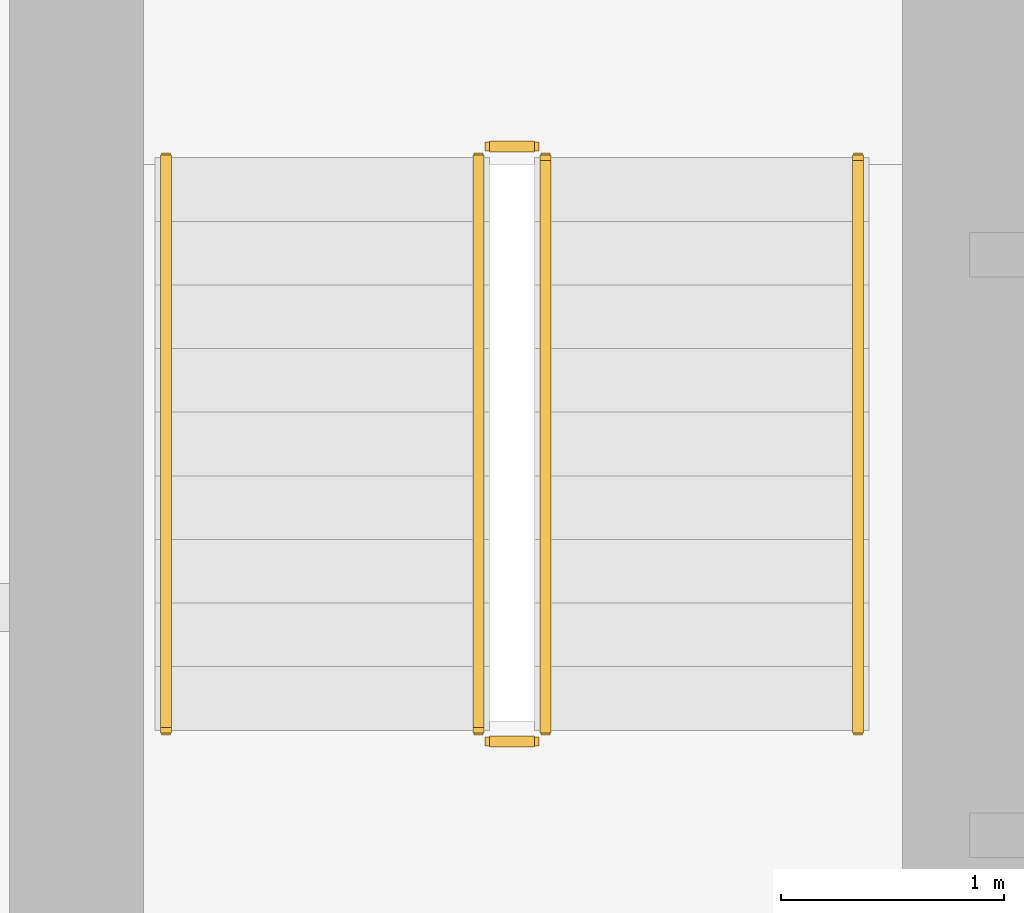
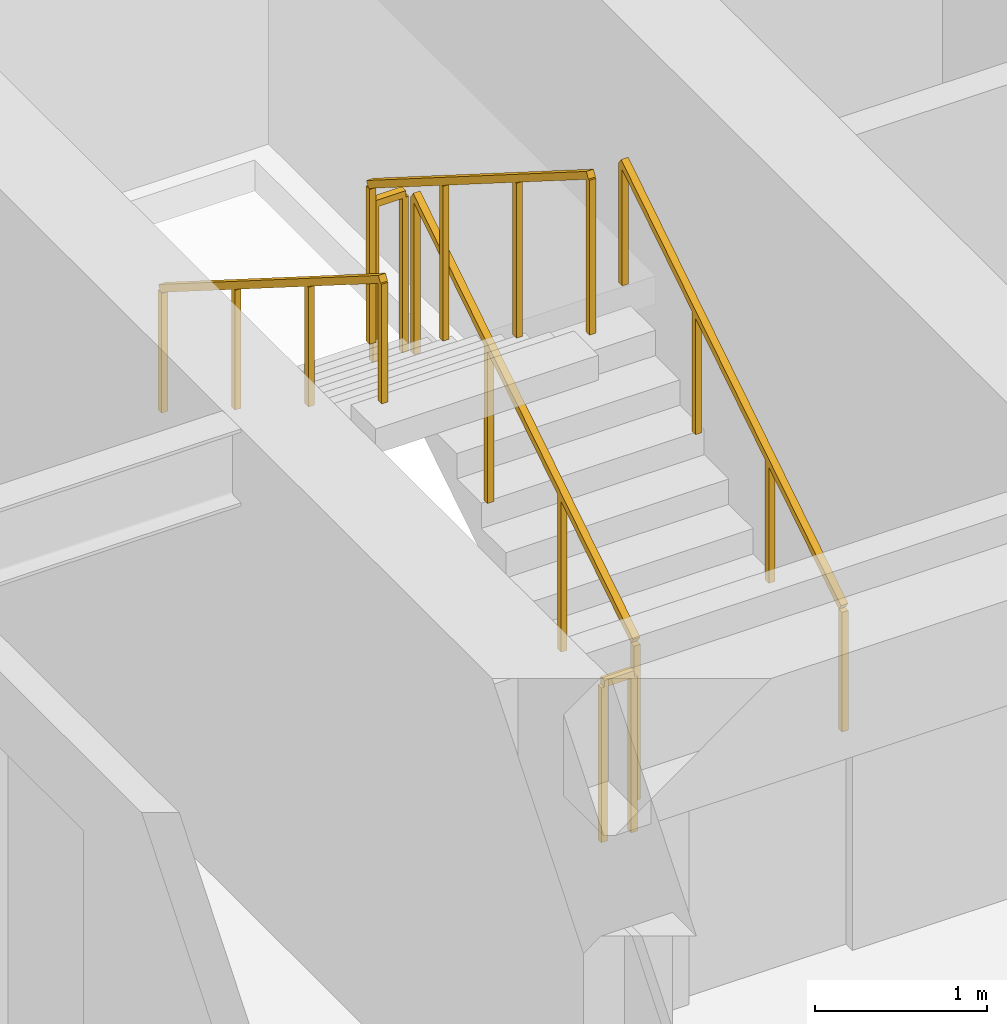
# One storey, part 28 of 30: 6 railings.
"""IFC4 building model written with IfcOpenShell, lengths in metres."""

from ifc_helpers import new_model, si_unit, direction, frame, origin, origin_2d, place, context, subcontext, project, spatial, rectangle, extrude, material, type_object, element, save


model = new_model("IFC4")

# Units and contexts
model_context = context("Model", 3, precision=1e-05, world=origin(), true_north=direction((0.0, 1.0)))
body_context = subcontext(model_context, "Body", "Model", "MODEL_VIEW")
ifc_project = project(units=[si_unit("LENGTHUNIT", "METRE"), si_unit("AREAUNIT", "SQUARE_METRE"), si_unit("VOLUMEUNIT", "CUBIC_METRE"), si_unit("PLANEANGLEUNIT", "RADIAN"), si_unit("MASSUNIT", "GRAM", prefix="KILO")], contexts=[model_context])

# Site, building, storey
site_placement = place(None, origin())
site = spatial("IfcSite", under=ifc_project, at=site_placement, CompositionType="ELEMENT")
building_placement = place(site_placement, origin())
building = spatial("IfcBuilding", under=site, at=building_placement, Name="Sarneth Arch Tower", CompositionType="ELEMENT")
storey_placement = place(building_placement, frame((0.0, 0.0, 28.199951171875)))
storey = spatial("IfcBuildingStorey", under=building, at=storey_placement, Name="L05", CompositionType="ELEMENT", Elevation=28.199951171875)

# Railings
ifc_material_1 = material(Name="Brushed Stainless Steel 304 tubular handrail", Category="steel")
railing_type_1 = type_object("IfcRailingType", Name="RAIL-HANDRAIL-900", PredefinedType="HANDRAIL", material=ifc_material_1)
railing_1_placement = place(storey_placement, frame((40.5, 41.449951171875, 0.179931640625)))
element("IfcRailing", 1, at=railing_1_placement, inside=storey, type_object=railing_type_1, Name="L05 ST-1 stair handrail 1", PredefinedType="HANDRAIL", context=body_context, shape_type="SweptSolid", body=[
    extrude(rectangle(XDim=0.048095703125, YDim=0.048095703125, at=origin_2d()), frame((0.0, 0.0, 0.8759765625), z_axis=(0.0, 0.845465955043, 0.534029323973), x_axis=(-1.0, 0.0, 0.0)), (0.0, 0.0, 1.0), 3.03369140625),
    extrude(rectangle(XDim=0.0419921875, YDim=0.0419921875, at=origin_2d()), origin(), (0.0, 0.0, 1.0), 0.851806640625),
    extrude(rectangle(XDim=0.0419921875, YDim=0.0419921875, at=origin_2d()), frame((0.0, 0.85498046875, 0.5400390625)), (0.0, 0.0, 1.0), 0.851806640625),
    extrude(rectangle(XDim=0.0419921875, YDim=0.0419921875, at=origin_2d()), frame((0.0, 1.7099609375, 1.080078125)), (0.0, 0.0, 1.0), 0.851806640625),
    extrude(rectangle(XDim=0.0419921875, YDim=0.0419921875, at=origin_2d()), frame((0.0, 2.56494140625, 1.6201171875)), (0.0, 0.0, 1.0), 0.851806640625),
])
railing_2_placement = place(storey_placement, frame((37.39990234375, 44.014892578125, 1.97998046875)))
element("IfcRailing", 2, at=railing_2_placement, inside=storey, type_object=railing_type_1, Name="L05 ST-1 stair handrail 2", PredefinedType="HANDRAIL", context=body_context, shape_type="SweptSolid", body=[
    extrude(rectangle(XDim=0.048095703125, YDim=0.048095703125, at=origin_2d()), frame((0.0, 0.0, 0.8759765625), z_axis=(0.0, -0.845465955043, 0.534029323973), x_axis=(1.0, 0.0, 0.0)), (0.0, 0.0, 1.0), 3.03369140625),
    extrude(rectangle(XDim=0.0419921875, YDim=0.0419921875, at=origin_2d()), origin(), (0.0, 0.0, 1.0), 0.851806640625),
    extrude(rectangle(XDim=0.0419921875, YDim=0.0419921875, at=origin_2d()), frame((0.0, -0.85498046875, 0.5400390625)), (0.0, 0.0, 1.0), 0.851806640625),
    extrude(rectangle(XDim=0.0419921875, YDim=0.0419921875, at=origin_2d()), frame((0.0, -1.7099609375, 1.080078125)), (0.0, 0.0, 1.0), 0.851806640625),
    extrude(rectangle(XDim=0.0419921875, YDim=0.0419921875, at=origin_2d()), frame((0.0, -2.56494140625, 1.6201171875)), (0.0, 0.0, 1.0), 0.851806640625),
])
ifc_material_2 = material(Name="Painted Steel S275 stair well guard", Category="steel")
railing_type_2 = type_object("IfcRailingType", Name="RAIL-STAIR-GUARD", PredefinedType="GUARDRAIL", material=ifc_material_2)
railing_3_placement = place(storey_placement, frame((39.10009765625, 41.449951171875, 0.179931640625)))
element("IfcRailing", 3, at=railing_3_placement, inside=storey, type_object=railing_type_2, Name="L05 ST-1 stair guard 1", PredefinedType="GUARDRAIL", context=body_context, shape_type="SweptSolid", body=[
    extrude(rectangle(XDim=0.048095703125, YDim=0.048095703125, at=origin_2d()), frame((0.0, 0.0, 1.1259765625), z_axis=(0.0, 0.845465955043, 0.534029323973), x_axis=(-1.0, 0.0, 0.0)), (0.0, 0.0, 1.0), 3.03369140625),
    extrude(rectangle(XDim=0.0419921875, YDim=0.0419921875, at=origin_2d()), origin(), (0.0, 0.0, 1.0), 1.101806640625),
    extrude(rectangle(XDim=0.0419921875, YDim=0.0419921875, at=origin_2d()), frame((0.0, 0.85498046875, 0.5400390625)), (0.0, 0.0, 1.0), 1.101806640625),
    extrude(rectangle(XDim=0.0419921875, YDim=0.0419921875, at=origin_2d()), frame((0.0, 1.7099609375, 1.080078125)), (0.0, 0.0, 1.0), 1.101806640625),
    extrude(rectangle(XDim=0.0419921875, YDim=0.0419921875, at=origin_2d()), frame((0.0, 2.56494140625, 1.6201171875)), (0.0, 0.0, 1.0), 1.101806640625),
])
railing_4_placement = place(storey_placement, frame((39.050048828125, 44.06494140625, 1.800048828125)))
element("IfcRailing", 4, at=railing_4_placement, inside=storey, type_object=railing_type_2, Name="L05 ST-1 stair guard 2", PredefinedType="GUARDRAIL", context=body_context, shape_type="SweptSolid", body=[
    extrude(rectangle(XDim=0.048095703125, YDim=0.048095703125, at=origin_2d()), frame((0.0, 0.0, 1.1259765625), z_axis=(-1.0, 0.0, 0.0), x_axis=(0.0, -1.0, 0.0)), (0.0, 0.0, 1.0), 0.199951171875),
    extrude(rectangle(XDim=0.0419921875, YDim=0.0419921875, at=origin_2d()), origin(), (0.0, 0.0, 1.0), 1.101806640625),
    extrude(rectangle(XDim=0.0419921875, YDim=0.0419921875, at=origin_2d()), frame((-0.199951171875, 0.0, 0.0)), (0.0, 0.0, 1.0), 1.101806640625),
])
railing_5_placement = place(storey_placement, frame((38.800048828125, 44.014892578125, 1.97998046875)))
element("IfcRailing", 5, at=railing_5_placement, inside=storey, type_object=railing_type_2, Name="L05 ST-1 stair guard 3", PredefinedType="GUARDRAIL", context=body_context, shape_type="SweptSolid", body=[
    extrude(rectangle(XDim=0.048095703125, YDim=0.048095703125, at=origin_2d()), frame((0.0, 0.0, 1.1259765625), z_axis=(0.0, -0.845465955043, 0.534029323973), x_axis=(1.0, 0.0, 0.0)), (0.0, 0.0, 1.0), 3.03369140625),
    extrude(rectangle(XDim=0.0419921875, YDim=0.0419921875, at=origin_2d()), origin(), (0.0, 0.0, 1.0), 1.101806640625),
    extrude(rectangle(XDim=0.0419921875, YDim=0.0419921875, at=origin_2d()), frame((0.0, -0.85498046875, 0.5400390625)), (0.0, 0.0, 1.0), 1.101806640625),
    extrude(rectangle(XDim=0.0419921875, YDim=0.0419921875, at=origin_2d()), frame((0.0, -1.7099609375, 1.080078125)), (0.0, 0.0, 1.0), 1.101806640625),
    extrude(rectangle(XDim=0.0419921875, YDim=0.0419921875, at=origin_2d()), frame((0.0, -2.56494140625, 1.6201171875)), (0.0, 0.0, 1.0), 1.101806640625),
])
railing_6_placement = place(storey_placement, frame((39.050048828125, 41.39990234375, 0.0)))
element("IfcRailing", 6, at=railing_6_placement, inside=storey, type_object=railing_type_2, Name="L05 ST-1 stair guard 4", PredefinedType="GUARDRAIL", context=body_context, shape_type="SweptSolid", body=[
    extrude(rectangle(XDim=0.048095703125, YDim=0.048095703125, at=origin_2d()), frame((0.0, 0.0, 1.1259765625), z_axis=(-1.0, 0.0, 0.0), x_axis=(0.0, -1.0, 0.0)), (0.0, 0.0, 1.0), 0.199951171875),
    extrude(rectangle(XDim=0.0419921875, YDim=0.0419921875, at=origin_2d()), origin(), (0.0, 0.0, 1.0), 1.101806640625),
    extrude(rectangle(XDim=0.0419921875, YDim=0.0419921875, at=origin_2d()), frame((-0.199951171875, 0.0, 0.0)), (0.0, 0.0, 1.0), 1.101806640625),
])

save(model, "model.ifc")
